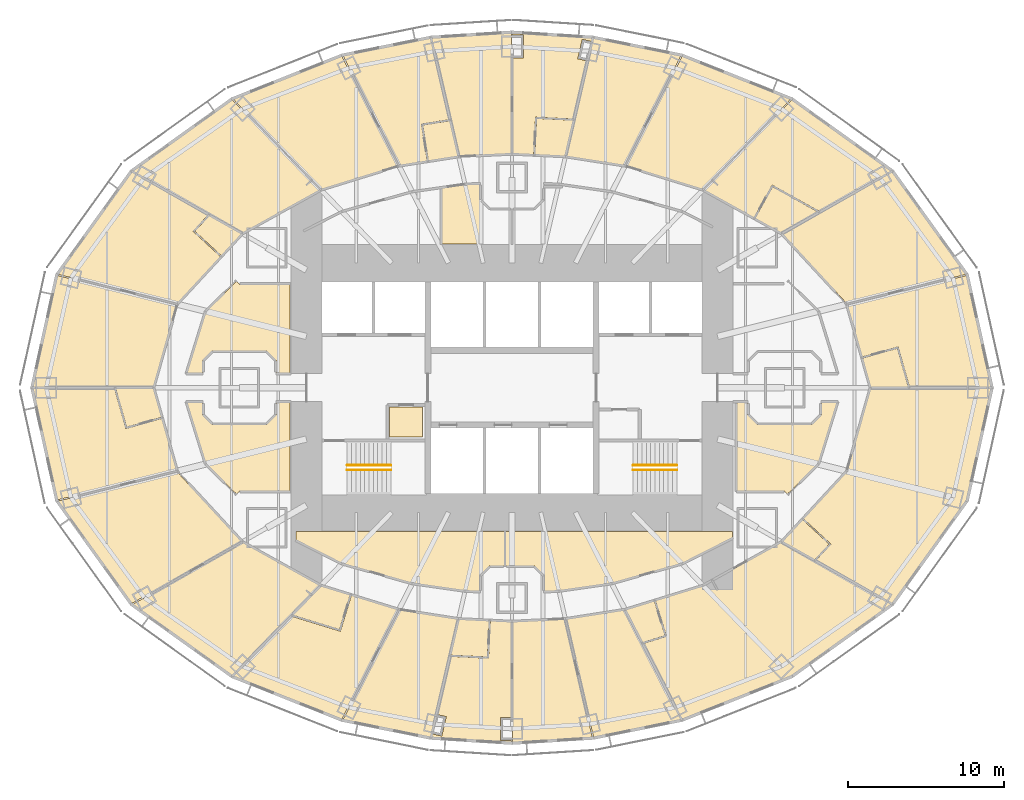
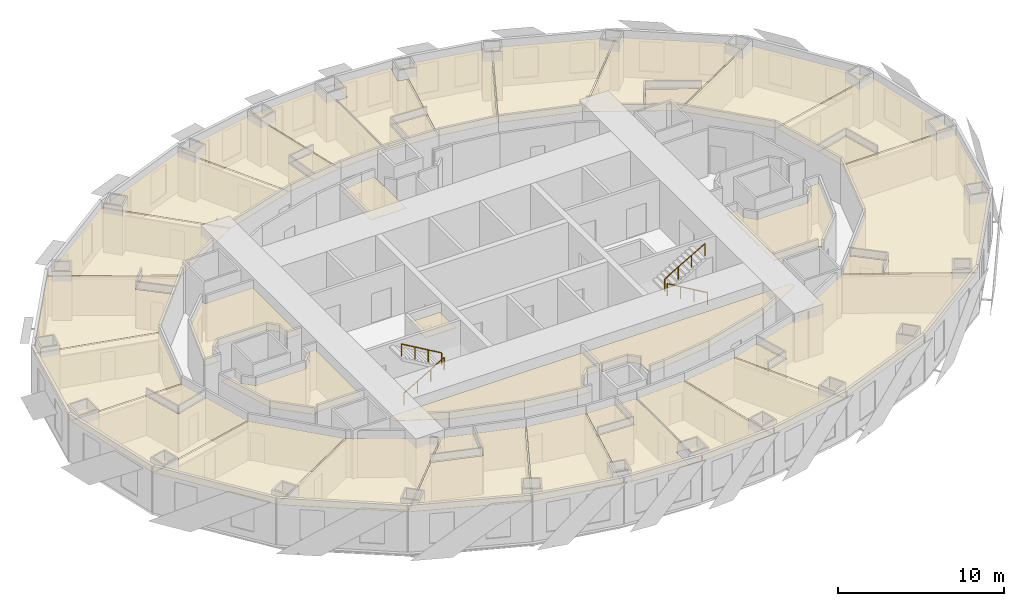
# One storey, part 15 of 15: 39 coverings, 4 railings.
"""IFC4 building model written with IfcOpenShell, lengths in metres."""

from ifc_helpers import new_model, si_unit, direction, frame, origin, origin_2d, place, context, subcontext, project, spatial, polyline, circle, outline, extrude, material, layer, layer_set, type_object, element, save


model = new_model("IFC4")

# Units and contexts
model_context = context("Model", 3, precision=1e-05, world=origin(), true_north=direction((0.0, 1.0)))
body_context = subcontext(model_context, "Body", "Model", "MODEL_VIEW")
ifc_project = project(units=[si_unit("LENGTHUNIT", "METRE"), si_unit("AREAUNIT", "SQUARE_METRE"), si_unit("VOLUMEUNIT", "CUBIC_METRE"), si_unit("PLANEANGLEUNIT", "RADIAN"), si_unit("MASSUNIT", "GRAM", prefix="KILO")], contexts=[model_context])

# Site, building, storey
site_placement = place(None, origin())
site = spatial("IfcSite", under=ifc_project, at=site_placement, CompositionType="ELEMENT")
building_placement = place(site_placement, origin())
building = spatial("IfcBuilding", under=site, at=building_placement, Name="Lantaw Convention Tower", CompositionType="ELEMENT")
storey_placement = place(building_placement, frame((0.0, 0.0, 94.60009765625)))
storey = spatial("IfcBuildingStorey", under=building, at=storey_placement, Name="L22", CompositionType="ELEMENT", Elevation=94.60009765625)

# Railings
ifc_material_1 = material(Name="Stainless steel", Category="steel")
railing_type = type_object("IfcRailingType", Name="Stair handrail", PredefinedType="HANDRAIL", material=ifc_material_1)
railing_1_placement = place(storey_placement, frame((-10.580078125, -5.280029296875, 0.16357421875)))
element("IfcRailing", 1, at=railing_1_placement, inside=storey, type_object=railing_type, Name="Stair handrail S1", PredefinedType="HANDRAIL", context=body_context, shape_type="SweptSolid", body=[
    extrude(circle(Radius=0.02392578125, at=origin_2d()), frame((0.0, 0.0, 0.8759765625), z_axis=(0.863393664356, 0.0, 0.504530851732), x_axis=(0.0, 1.0, 0.0)), (0.0, 0.0, 1.0), 3.2431640625),
    extrude(circle(Radius=0.02099609375, at=origin_2d()), origin(), (0.0, 0.0, 1.0), 0.851806640625),
    extrude(circle(Radius=0.02099609375, at=origin_2d()), frame((0.933349609375, 0.0, 0.54541015625)), (0.0, 0.0, 1.0), 0.851806640625),
    extrude(circle(Radius=0.02099609375, at=origin_2d()), frame((1.86669921875, 0.0, 1.0908203125)), (0.0, 0.0, 1.0), 0.851806640625),
    extrude(circle(Radius=0.02099609375, at=origin_2d()), frame((2.800048828125, 0.0, 1.63623046875)), (0.0, 0.0, 1.0), 0.851806640625),
])
for number, where, name in (
    (2, (-7.780029296875, -4.97998046875, 1.963623046875), "Stair handrail S1"),
    (3, (10.580078125, -5.280029296875, 0.16357421875), "Stair handrail S2"),
):
    element("IfcRailing", number, at=place(storey_placement, frame(where)), inside=storey, type_object=railing_type, Name=name, PredefinedType="HANDRAIL", context=body_context, shape_type="SweptSolid", body=[
        extrude(circle(Radius=0.02392578125, at=origin_2d()), frame((0.0, 0.0, 0.8759765625), z_axis=(-0.863393664356, 0.0, 0.504530851732), x_axis=(0.0, -1.0, 0.0)), (0.0, 0.0, 1.0), 3.2431640625),
        extrude(circle(Radius=0.02099609375, at=origin_2d()), origin(), (0.0, 0.0, 1.0), 0.851806640625),
        extrude(circle(Radius=0.02099609375, at=origin_2d()), frame((-0.933349609375, 0.0, 0.54541015625)), (0.0, 0.0, 1.0), 0.851806640625),
        extrude(circle(Radius=0.02099609375, at=origin_2d()), frame((-1.86669921875, 0.0, 1.0908203125)), (0.0, 0.0, 1.0), 0.851806640625),
        extrude(circle(Radius=0.02099609375, at=origin_2d()), frame((-2.800048828125, 0.0, 1.63623046875)), (0.0, 0.0, 1.0), 0.851806640625),
    ])
railing_2_placement = place(storey_placement, frame((7.780029296875, -4.97998046875, 1.963623046875)))
element("IfcRailing", 4, at=railing_2_placement, inside=storey, type_object=railing_type, Name="Stair handrail S2", PredefinedType="HANDRAIL", context=body_context, shape_type="SweptSolid", body=[
    extrude(circle(Radius=0.02392578125, at=origin_2d()), frame((0.0, 0.0, 0.8759765625), z_axis=(0.863393664356, 0.0, 0.504530851732), x_axis=(0.0, 1.0, 0.0)), (0.0, 0.0, 1.0), 3.2431640625),
    extrude(circle(Radius=0.02099609375, at=origin_2d()), origin(), (0.0, 0.0, 1.0), 0.851806640625),
    extrude(circle(Radius=0.02099609375, at=origin_2d()), frame((0.933349609375, 0.0, 0.54541015625)), (0.0, 0.0, 1.0), 0.851806640625),
    extrude(circle(Radius=0.02099609375, at=origin_2d()), frame((1.86669921875, 0.0, 1.0908203125)), (0.0, 0.0, 1.0), 0.851806640625),
    extrude(circle(Radius=0.02099609375, at=origin_2d()), frame((2.800048828125, 0.0, 1.63623046875)), (0.0, 0.0, 1.0), 0.851806640625),
])

# Coverings
ifc_material_2 = material(Name="Gypsum board on steel suspension grid", Category="steel")
ifc_layer = layer(ifc_material_2, 0.02001953125)
ifc_layer_set = layer_set([ifc_layer], Name="Suspended ceiling")
covering_type = type_object("IfcCoveringType", Name="Suspended ceiling", PredefinedType="CEILING", material=ifc_layer_set)
covering_1_placement = place(storey_placement, frame((0.0, 0.0, 2.849853515625)))
element("IfcCovering", 5, at=covering_1_placement, inside=storey, type_object=covering_type, Name="Housekeeping pantry ceiling", PredefinedType="CEILING", context=body_context, shape_type="SweptSolid", body=[
    extrude(outline(polyline([(-7.860107421875, -3.159912109375), (-5.739990234375, -3.159912109375), (-5.739990234375, -1.239990234375), (-7.860107421875, -1.239990234375), (-7.860107421875, -3.159912109375)])), origin(), (0.0, 0.0, 1.0), 0.02001953125),
])
covering_2_placement = place(storey_placement, frame((0.0, 0.0, 2.849853515625)))
element("IfcCovering", 6, at=covering_2_placement, inside=storey, type_object=covering_type, Name="Accessible WC ceiling", PredefinedType="CEILING", context=body_context, shape_type="SweptSolid", body=[
    extrude(outline(polyline([(-2.06494140625, 13.068115234375), (-3.0126953125, 13.02587890625), (-4.510009765625, 12.8125), (-4.510009765625, 9.239990234375), (-2.014892578125, 9.239990234375), (-2.014892578125, 12.0087890625), (-2.06494140625, 12.058837890625), (-2.06494140625, 13.068115234375)])), origin(), (0.0, 0.0, 1.0), 0.02001953125),
])
covering_3_placement = place(storey_placement, frame((0.0, 0.0, 2.849853515625)))
element("IfcCovering", 7, at=covering_3_placement, inside=storey, type_object=covering_type, Name="Housekeeping room ceiling", PredefinedType="CEILING", context=body_context, shape_type="SweptSolid", body=[
    extrude(outline(polyline([(-20.8671875, 0.93994140625), (-19.864990234375, 0.93994140625), (-19.864990234375, 1.7412109375), (-19.2412109375, 2.364990234375), (-15.7587890625, 2.364990234375), (-15.135009765625, 1.7412109375), (-15.135009765625, 0.93994140625), (-14.239990234375, 0.93994140625), (-14.239990234375, 6.635009765625), (-17.4912109375, 6.635009765625), (-17.68310546875, 6.8271484375), (-19.6455078125, 4.885498046875), (-20.8671875, 0.93994140625)])), origin(), (0.0, 0.0, 1.0), 0.02001953125),
])
covering_4_placement = place(storey_placement, frame((0.0, 0.0, 2.849853515625)))
element("IfcCovering", 8, at=covering_4_placement, inside=storey, type_object=covering_type, Name="Staff locker room ceiling", PredefinedType="CEILING", context=body_context, shape_type="SweptSolid", body=[
    extrude(outline(polyline([(-10.90966796875, -11.275146484375), (-6.402587890625, -12.542724609375), (-3.0126953125, -13.02587890625), (-2.06494140625, -13.068115234375), (-2.06494140625, -12.058837890625), (-1.441162109375, -11.43505859375), (-0.489990234375, -11.43505859375), (-0.489990234375, -9.239990234375), (-13.860107421875, -9.239990234375), (-13.860107421875, -9.77490234375), (-10.90966796875, -11.275146484375)])), origin(), (0.0, 0.0, 1.0), 0.02001953125),
])
covering_5_placement = place(storey_placement, frame((0.0, 0.0, 2.849853515625)))
element("IfcCovering", 9, at=covering_5_placement, inside=storey, type_object=covering_type, Name="Staff room ceiling", PredefinedType="CEILING", context=body_context, shape_type="SweptSolid", body=[
    extrude(outline(polyline([(-20.8671875, -0.93994140625), (-19.6455078125, -4.885498046875), (-17.68310546875, -6.8271484375), (-17.4912109375, -6.635009765625), (-14.239990234375, -6.635009765625), (-14.239990234375, -0.93994140625), (-15.135009765625, -0.93994140625), (-15.135009765625, -1.7412109375), (-15.7587890625, -2.364990234375), (-19.2412109375, -2.364990234375), (-19.864990234375, -1.7412109375), (-19.864990234375, -0.93994140625), (-20.8671875, -0.93994140625)])), origin(), (0.0, 0.0, 1.0), 0.02001953125),
])
covering_6_placement = place(storey_placement, frame((0.0, 0.0, 2.849853515625)))
element("IfcCovering", 10, at=covering_6_placement, inside=storey, type_object=covering_type, Name="Guest ice and vending room ceiling", PredefinedType="CEILING", context=body_context, shape_type="SweptSolid", body=[
    extrude(outline(polyline([(2.06494140625, -13.068115234375), (3.0126953125, -13.02587890625), (6.402587890625, -12.542724609375), (10.90966796875, -11.275146484375), (14.159912109375, -9.622314453125), (14.159912109375, -9.239990234375), (-0.409912109375, -9.239990234375), (-0.409912109375, -11.43505859375), (1.441162109375, -11.43505859375), (2.06494140625, -12.058837890625), (2.06494140625, -13.068115234375)])), origin(), (0.0, 0.0, 1.0), 0.02001953125),
])
covering_7_placement = place(storey_placement, frame((0.0, 0.0, 2.849853515625)))
element("IfcCovering", 11, at=covering_7_placement, inside=storey, type_object=covering_type, Name="Room service pantry ceiling", PredefinedType="CEILING", context=body_context, shape_type="SweptSolid", body=[
    extrude(outline(polyline([(19.6455078125, -4.885498046875), (20.8671875, -0.93994140625), (19.864990234375, -0.93994140625), (19.864990234375, -1.7412109375), (19.2412109375, -2.364990234375), (15.7587890625, -2.364990234375), (15.135009765625, -1.7412109375), (15.135009765625, -0.93994140625), (14.43994140625, -0.93994140625), (14.43994140625, -6.635009765625), (17.4912109375, -6.635009765625), (17.68310546875, -6.8271484375), (19.6455078125, -4.885498046875)])), origin(), (0.0, 0.0, 1.0), 0.02001953125),
])
covering_8_placement = place(storey_placement, frame((0.0, 0.0, 2.849853515625)))
element("IfcCovering", 12, at=covering_8_placement, inside=storey, type_object=covering_type, Name="Suite bathroom ceiling", PredefinedType="CEILING", context=body_context, shape_type="SweptSolid", body=[
    extrude(outline(polyline([(23.0302734375, 0.0400390625), (25.44140625, 0.0400390625), (24.73681640625, 2.52880859375), (22.504638671875, 1.896728515625), (23.0302734375, 0.0400390625)])), origin(), (0.0, 0.0, 1.0), 0.02001953125),
])
covering_9_placement = place(storey_placement, frame((0.0, 0.0, 2.849853515625)))
element("IfcCovering", 13, at=covering_9_placement, inside=storey, type_object=covering_type, Name="Suite bedroom ceiling", PredefinedType="CEILING", context=body_context, shape_type="SweptSolid", body=[
    extrude(outline(polyline([(21.533447265625, 5.327392578125), (22.48291015625, 1.9736328125), (24.7919921875, 2.62744140625), (25.524658203125, 0.0400390625), (30.77099609375, 0.0400390625), (29.191650390625, 7.205078125), (21.533447265625, 5.327392578125)])), origin(), (0.0, 0.0, 1.0), 0.02001953125),
])
covering_10_placement = place(storey_placement, frame((0.0, 0.0, 2.849853515625)))
element("IfcCovering", 14, at=covering_10_placement, inside=storey, type_object=covering_type, Name="Suite living room ceiling", PredefinedType="CEILING", context=body_context, shape_type="SweptSolid", body=[
    extrude(outline(polyline([(21.496826171875, 5.40087890625), (29.155029296875, 7.2783203125), (24.423095703125, 13.8564453125), (17.36279296875, 9.875244140625), (21.496826171875, 5.40087890625)])), origin(), (0.0, 0.0, 1.0), 0.02001953125),
])
covering_11_placement = place(storey_placement, frame((0.0, 0.0, 2.849853515625)))
element("IfcCovering", 15, at=covering_11_placement, inside=storey, type_object=covering_type, Name="Suite bathroom ceiling", PredefinedType="CEILING", context=body_context, shape_type="SweptSolid", body=[
    extrude(outline(polyline([(17.298828125, 9.93115234375), (19.65234375, 11.276123046875), (16.734619140625, 12.900634765625), (15.60595703125, 10.87353515625), (17.298828125, 9.93115234375)])), origin(), (0.0, 0.0, 1.0), 0.02001953125),
])
covering_12_placement = place(storey_placement, frame((0.0, 0.0, 2.849853515625)))
element("IfcCovering", 16, at=covering_12_placement, inside=storey, type_object=covering_type, Name="Suite bedroom ceiling", PredefinedType="CEILING", context=body_context, shape_type="SweptSolid", body=[
    extrude(outline(polyline([(12.322265625, 12.701904296875), (15.5361328125, 10.91259765625), (16.70361328125, 13.00927734375), (19.75, 11.313232421875), (24.3603515625, 13.912841796875), (17.97509765625, 18.4892578125), (12.322265625, 12.701904296875)])), origin(), (0.0, 0.0, 1.0), 0.02001953125),
])
covering_13_placement = place(storey_placement, frame((0.0, 0.0, 2.849853515625)))
element("IfcCovering", 17, at=covering_13_placement, inside=storey, type_object=covering_type, Name="Suite living room ceiling", PredefinedType="CEILING", context=body_context, shape_type="SweptSolid", body=[
    extrude(outline(polyline([(12.24560546875, 12.738037109375), (17.89990234375, 18.526611328125), (10.930908203125, 21.294921875), (7.310302734375, 14.2587890625), (12.24560546875, 12.738037109375)])), origin(), (0.0, 0.0, 1.0), 0.02001953125),
])
covering_14_placement = place(storey_placement, frame((0.0, 0.0, 2.849853515625)))
element("IfcCovering", 18, at=covering_14_placement, inside=storey, type_object=covering_type, Name="Suite kitchenette and dining room ceiling", PredefinedType="CEILING", context=body_context, shape_type="SweptSolid", body=[
    extrude(outline(polyline([(7.23046875, 14.278564453125), (10.85205078125, 21.31689453125), (5.240966796875, 22.448974609375), (3.47314453125, 14.86572265625), (7.23046875, 14.278564453125)])), origin(), (0.0, 0.0, 1.0), 0.02001953125),
])
covering_15_placement = place(storey_placement, frame((0.0, 0.0, 2.849853515625)))
element("IfcCovering", 19, at=covering_15_placement, inside=storey, type_object=covering_type, Name="Suite bathroom ceiling", PredefinedType="CEILING", context=body_context, shape_type="SweptSolid", body=[
    extrude(outline(polyline([(3.39306640625, 14.87451171875), (3.92333984375, 17.17138671875), (1.581787109375, 17.28564453125), (1.46875, 14.96826171875), (3.39306640625, 14.87451171875)])), origin(), (0.0, 0.0, 1.0), 0.02001953125),
])
covering_16_placement = place(storey_placement, frame((0.0, 0.0, 2.849853515625)))
element("IfcCovering", 20, at=covering_16_placement, inside=storey, type_object=covering_type, Name="Suite bedroom ceiling", PredefinedType="CEILING", context=body_context, shape_type="SweptSolid", body=[
    extrude(outline(polyline([(0.0400390625, 21.159912109375), (0.0400390625, 15.0380859375), (1.388916015625, 14.97216796875), (1.505859375, 17.369384765625), (3.94677734375, 17.250244140625), (4.81640625, 20.98046875), (4.21875, 21.118408203125), (4.506591796875, 22.365478515625), (5.10693359375, 22.22705078125), (5.1611328125, 22.458984375), (0.0400390625, 22.781982421875), (0.0400390625, 22.639892578125), (0.739990234375, 22.639892578125), (0.739990234375, 21.159912109375), (0.0400390625, 21.159912109375)])), origin(), (0.0, 0.0, 1.0), 0.02001953125),
])
covering_17_placement = place(storey_placement, frame((0.0, 0.0, 2.849853515625)))
element("IfcCovering", 21, at=covering_17_placement, inside=storey, type_object=covering_type, Name="Suite living room ceiling", PredefinedType="CEILING", context=body_context, shape_type="SweptSolid", body=[
    extrude(outline(polyline([(-0.0400390625, 15.0380859375), (-0.0400390625, 22.781982421875), (-5.1611328125, 22.458984375), (-3.39306640625, 14.87451171875), (-0.0400390625, 15.0380859375)])), origin(), (0.0, 0.0, 1.0), 0.02001953125),
])
covering_18_placement = place(storey_placement, frame((0.0, 0.0, 2.849853515625)))
element("IfcCovering", 22, at=covering_18_placement, inside=storey, type_object=covering_type, Name="Suite bathroom ceiling", PredefinedType="CEILING", context=body_context, shape_type="SweptSolid", body=[
    extrude(outline(polyline([(-3.47314453125, 14.86572265625), (-3.996337890625, 17.132080078125), (-5.725341796875, 16.862060546875), (-5.3671875, 14.56982421875), (-3.47314453125, 14.86572265625)])), origin(), (0.0, 0.0, 1.0), 0.02001953125),
])
covering_19_placement = place(storey_placement, frame((0.0, 0.0, 2.849853515625)))
element("IfcCovering", 23, at=covering_19_placement, inside=storey, type_object=covering_type, Name="Suite bedroom ceiling", PredefinedType="CEILING", context=body_context, shape_type="SweptSolid", body=[
    extrude(outline(polyline([(-7.23046875, 14.278564453125), (-5.446044921875, 14.557373046875), (-5.816650390625, 16.9287109375), (-4.01953125, 17.20947265625), (-5.240966796875, 22.448974609375), (-10.85205078125, 21.31689453125), (-7.23046875, 14.278564453125)])), origin(), (0.0, 0.0, 1.0), 0.02001953125),
])
covering_20_placement = place(storey_placement, frame((0.0, 0.0, 2.849853515625)))
element("IfcCovering", 24, at=covering_20_placement, inside=storey, type_object=covering_type, Name="Suite living room ceiling", PredefinedType="CEILING", context=body_context, shape_type="SweptSolid", body=[
    extrude(outline(polyline([(-7.310302734375, 14.2587890625), (-10.930908203125, 21.294921875), (-17.89990234375, 18.526611328125), (-12.24560546875, 12.738037109375), (-7.310302734375, 14.2587890625)])), origin(), (0.0, 0.0, 1.0), 0.02001953125),
])
covering_21_placement = place(storey_placement, frame((0.0, 0.0, 2.849853515625)))
element("IfcCovering", 25, at=covering_21_placement, inside=storey, type_object=covering_type, Name="Suite kitchenette and dining room ceiling", PredefinedType="CEILING", context=body_context, shape_type="SweptSolid", body=[
    extrude(outline(polyline([(-12.322265625, 12.701904296875), (-17.97509765625, 18.4892578125), (-24.3603515625, 13.912841796875), (-17.298828125, 9.930908203125), (-12.322265625, 12.701904296875)])), origin(), (0.0, 0.0, 1.0), 0.02001953125),
])
covering_22_placement = place(storey_placement, frame((0.0, 0.0, 2.849853515625)))
element("IfcCovering", 26, at=covering_22_placement, inside=storey, type_object=covering_type, Name="Suite bathroom ceiling", PredefinedType="CEILING", context=body_context, shape_type="SweptSolid", body=[
    extrude(outline(polyline([(-17.362548828125, 9.87548828125), (-19.4296875, 11.056640625), (-20.362548828125, 10.047119140625), (-18.658447265625, 8.47265625), (-17.362548828125, 9.87548828125)])), origin(), (0.0, 0.0, 1.0), 0.02001953125),
])
covering_23_placement = place(storey_placement, frame((0.0, 0.0, 2.849853515625)))
element("IfcCovering", 27, at=covering_23_placement, inside=storey, type_object=covering_type, Name="Suite bedroom ceiling", PredefinedType="CEILING", context=body_context, shape_type="SweptSolid", body=[
    extrude(outline(polyline([(-21.496826171875, 5.40087890625), (-18.712890625, 8.4140625), (-20.4755859375, 10.042724609375), (-19.510986328125, 11.086669921875), (-24.423095703125, 13.8564453125), (-29.155029296875, 7.2783203125), (-21.496826171875, 5.40087890625)])), origin(), (0.0, 0.0, 1.0), 0.02001953125),
])
covering_24_placement = place(storey_placement, frame((0.0, 0.0, 2.849853515625)))
element("IfcCovering", 28, at=covering_24_placement, inside=storey, type_object=covering_type, Name="Suite living room ceiling", PredefinedType="CEILING", context=body_context, shape_type="SweptSolid", body=[
    extrude(outline(polyline([(-21.533447265625, 5.327392578125), (-29.191650390625, 7.205078125), (-30.77099609375, 0.0400390625), (-23.0302734375, 0.0400390625), (-21.533447265625, 5.327392578125)])), origin(), (0.0, 0.0, 1.0), 0.02001953125),
])
covering_25_placement = place(storey_placement, frame((0.0, 0.0, 2.849853515625)))
element("IfcCovering", 29, at=covering_25_placement, inside=storey, type_object=covering_type, Name="Suite bathroom ceiling", PredefinedType="CEILING", context=body_context, shape_type="SweptSolid", body=[
    extrude(outline(polyline([(-23.0302734375, -0.0400390625), (-25.44140625, -0.0400390625), (-24.73681640625, -2.52880859375), (-22.504638671875, -1.896728515625), (-23.0302734375, -0.0400390625)])), origin(), (0.0, 0.0, 1.0), 0.02001953125),
])
covering_26_placement = place(storey_placement, frame((0.0, 0.0, 2.849853515625)))
element("IfcCovering", 30, at=covering_26_placement, inside=storey, type_object=covering_type, Name="Suite bedroom ceiling", PredefinedType="CEILING", context=body_context, shape_type="SweptSolid", body=[
    extrude(outline(polyline([(-22.48291015625, -1.9736328125), (-24.7919921875, -2.62744140625), (-25.524658203125, -0.0400390625), (-30.77099609375, -0.0400390625), (-29.191650390625, -7.205078125), (-21.533447265625, -5.327392578125), (-22.48291015625, -1.9736328125)])), origin(), (0.0, 0.0, 1.0), 0.02001953125),
])
covering_27_placement = place(storey_placement, frame((0.0, 0.0, 2.849853515625)))
element("IfcCovering", 31, at=covering_27_placement, inside=storey, type_object=covering_type, Name="Suite living room ceiling", PredefinedType="CEILING", context=body_context, shape_type="SweptSolid", body=[
    extrude(outline(polyline([(-21.496826171875, -5.40087890625), (-29.155029296875, -7.2783203125), (-24.423095703125, -13.8564453125), (-17.36279296875, -9.875244140625), (-21.496826171875, -5.40087890625)])), origin(), (0.0, 0.0, 1.0), 0.02001953125),
])
covering_28_placement = place(storey_placement, frame((0.0, 0.0, 2.849853515625)))
element("IfcCovering", 32, at=covering_28_placement, inside=storey, type_object=covering_type, Name="Suite kitchenette and dining room ceiling", PredefinedType="CEILING", context=body_context, shape_type="SweptSolid", body=[
    extrude(outline(polyline([(-17.298828125, -9.930908203125), (-24.3603515625, -13.912841796875), (-17.97509765625, -18.4892578125), (-12.322265625, -12.701904296875), (-17.298828125, -9.930908203125)])), origin(), (0.0, 0.0, 1.0), 0.02001953125),
])
covering_29_placement = place(storey_placement, frame((0.0, 0.0, 2.849853515625)))
element("IfcCovering", 33, at=covering_29_placement, inside=storey, type_object=covering_type, Name="Suite bathroom ceiling", PredefinedType="CEILING", context=body_context, shape_type="SweptSolid", body=[
    extrude(outline(polyline([(-12.245361328125, -12.738037109375), (-14.052001953125, -14.60888671875), (-11.0791015625, -15.525146484375), (-10.395751953125, -13.30810546875), (-12.245361328125, -12.738037109375)])), origin(), (0.0, 0.0, 1.0), 0.02001953125),
])
covering_30_placement = place(storey_placement, frame((0.0, 0.0, 2.849853515625)))
element("IfcCovering", 34, at=covering_30_placement, inside=storey, type_object=covering_type, Name="Suite bedroom ceiling", PredefinedType="CEILING", context=body_context, shape_type="SweptSolid", body=[
    extrude(outline(polyline([(-14.140380859375, -14.677978515625), (-17.89990234375, -18.526611328125), (-10.930908203125, -21.294921875), (-7.310302734375, -14.2587890625), (-10.307861328125, -13.3349609375), (-11.01806640625, -15.64013671875), (-14.140380859375, -14.677978515625)])), origin(), (0.0, 0.0, 1.0), 0.02001953125),
])
covering_31_placement = place(storey_placement, frame((0.0, 0.0, 2.849853515625)))
element("IfcCovering", 35, at=covering_31_placement, inside=storey, type_object=covering_type, Name="Suite living room ceiling", PredefinedType="CEILING", context=body_context, shape_type="SweptSolid", body=[
    extrude(outline(polyline([(-7.23046875, -14.278564453125), (-10.85205078125, -21.31689453125), (-5.240966796875, -22.448974609375), (-3.47314453125, -14.86572265625), (-7.23046875, -14.278564453125)])), origin(), (0.0, 0.0, 1.0), 0.02001953125),
])
covering_32_placement = place(storey_placement, frame((0.0, 0.0, 2.849853515625)))
element("IfcCovering", 36, at=covering_32_placement, inside=storey, type_object=covering_type, Name="Suite bathroom ceiling", PredefinedType="CEILING", context=body_context, shape_type="SweptSolid", body=[
    extrude(outline(polyline([(-3.39306640625, -14.87451171875), (-3.92333984375, -17.17138671875), (-1.581787109375, -17.28564453125), (-1.46875, -14.96826171875), (-3.39306640625, -14.87451171875)])), origin(), (0.0, 0.0, 1.0), 0.02001953125),
])
covering_33_placement = place(storey_placement, frame((0.0, 0.0, 2.849853515625)))
element("IfcCovering", 37, at=covering_33_placement, inside=storey, type_object=covering_type, Name="Suite bedroom ceiling", PredefinedType="CEILING", context=body_context, shape_type="SweptSolid", body=[
    extrude(outline(polyline([(-3.94677734375, -17.250244140625), (-4.81640625, -20.98046875), (-4.21875, -21.118408203125), (-4.506591796875, -22.365478515625), (-5.10693359375, -22.22705078125), (-5.1611328125, -22.458984375), (-0.0400390625, -22.781982421875), (-0.0400390625, -22.639892578125), (-0.739990234375, -22.639892578125), (-0.739990234375, -21.159912109375), (-0.0400390625, -21.159912109375), (-0.0400390625, -15.0380859375), (-1.388916015625, -14.97216796875), (-1.505859375, -17.369384765625), (-3.94677734375, -17.250244140625)])), origin(), (0.0, 0.0, 1.0), 0.02001953125),
])
covering_34_placement = place(storey_placement, frame((0.0, 0.0, 2.849853515625)))
element("IfcCovering", 38, at=covering_34_placement, inside=storey, type_object=covering_type, Name="Suite living room ceiling", PredefinedType="CEILING", context=body_context, shape_type="SweptSolid", body=[
    extrude(outline(polyline([(0.0400390625, -15.0380859375), (0.0400390625, -22.781982421875), (5.1611328125, -22.458984375), (3.39306640625, -14.87451171875), (0.0400390625, -15.0380859375)])), origin(), (0.0, 0.0, 1.0), 0.02001953125),
])
covering_35_placement = place(storey_placement, frame((0.0, 0.0, 2.849853515625)))
element("IfcCovering", 39, at=covering_35_placement, inside=storey, type_object=covering_type, Name="Suite kitchenette and dining room ceiling", PredefinedType="CEILING", context=body_context, shape_type="SweptSolid", body=[
    extrude(outline(polyline([(3.47314453125, -14.86572265625), (5.240966796875, -22.448974609375), (10.85205078125, -21.31689453125), (7.23046875, -14.278564453125), (3.47314453125, -14.86572265625)])), origin(), (0.0, 0.0, 1.0), 0.02001953125),
])
covering_36_placement = place(storey_placement, frame((0.0, 0.0, 2.849853515625)))
element("IfcCovering", 40, at=covering_36_placement, inside=storey, type_object=covering_type, Name="Junior suite bathroom ceiling", PredefinedType="CEILING", context=body_context, shape_type="SweptSolid", body=[
    extrude(outline(polyline([(7.31005859375, -14.2587890625), (8.379150390625, -16.357177734375), (9.821044921875, -15.912841796875), (9.1376953125, -13.695556640625), (7.31005859375, -14.2587890625)])), origin(), (0.0, 0.0, 1.0), 0.02001953125),
])
covering_37_placement = place(storey_placement, frame((0.0, 0.0, 2.849853515625)))
element("IfcCovering", 41, at=covering_37_placement, inside=storey, type_object=covering_type, Name="Junior suite ceiling", PredefinedType="CEILING", context=body_context, shape_type="SweptSolid", body=[
    extrude(outline(polyline([(12.27294921875, -12.7294921875), (9.214111328125, -13.672119140625), (9.921142578125, -15.965576171875), (8.42578125, -16.426513671875), (10.930908203125, -21.294921875), (17.951171875, -18.50634765625), (24.3603515625, -13.912841796875), (17.298828125, -9.930908203125), (12.27294921875, -12.7294921875)])), origin(), (0.0, 0.0, 1.0), 0.02001953125),
])
covering_38_placement = place(storey_placement, frame((0.0, 0.0, 2.849853515625)))
element("IfcCovering", 42, at=covering_38_placement, inside=storey, type_object=covering_type, Name="Junior suite bathroom ceiling", PredefinedType="CEILING", context=body_context, shape_type="SweptSolid", body=[
    extrude(outline(polyline([(17.362548828125, -9.87548828125), (19.4296875, -11.056640625), (20.362548828125, -10.047119140625), (18.658447265625, -8.47265625), (17.362548828125, -9.87548828125)])), origin(), (0.0, 0.0, 1.0), 0.02001953125),
])
covering_39_placement = place(storey_placement, frame((0.0, 0.0, 2.849853515625)))
element("IfcCovering", 43, at=covering_39_placement, inside=storey, type_object=covering_type, Name="Junior suite ceiling", PredefinedType="CEILING", context=body_context, shape_type="SweptSolid", body=[
    extrude(outline(polyline([(21.51953125, -5.37646484375), (18.712890625, -8.4140625), (20.4755859375, -10.042724609375), (19.510986328125, -11.086669921875), (24.423095703125, -13.8564453125), (29.184814453125, -7.237060546875), (30.77099609375, -0.0400390625), (23.0302734375, -0.0400390625), (21.51953125, -5.37646484375)])), origin(), (0.0, 0.0, 1.0), 0.02001953125),
])

save(model, "model.ifc")
